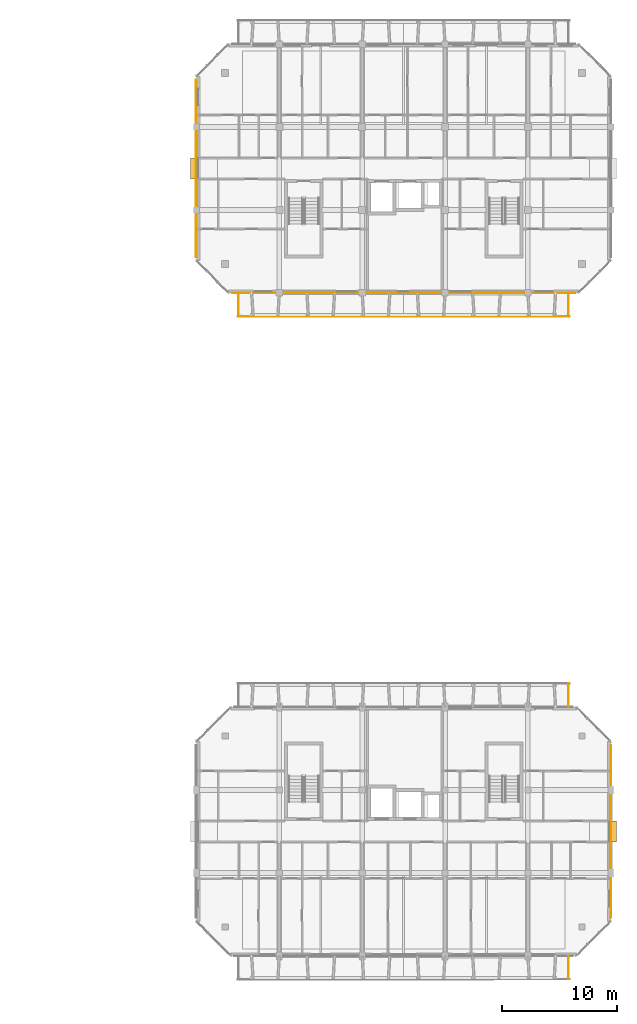
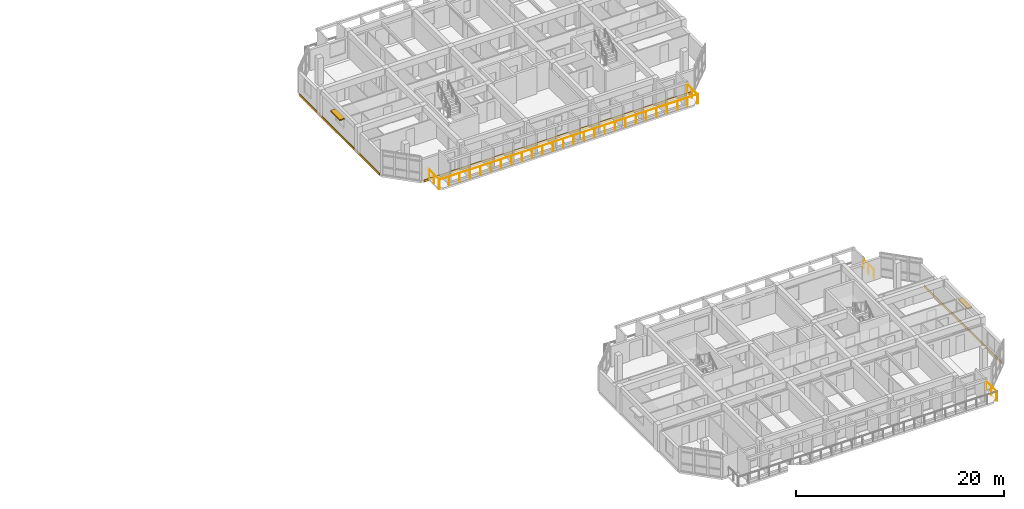
# One storey, part 41 of 43: 5 railings, 3 coverings, 2 shading devices.
"""IFC4 building model written with IfcOpenShell, lengths in metres."""

from ifc_helpers import new_model, si_unit, direction, frame, origin, origin_2d, place, context, subcontext, project, spatial, rectangle, circle, extrude, material, layer, layer_set, type_object, element, save


model = new_model("IFC4")

# Units and contexts
model_context = context("Model", 3, precision=1e-05, world=origin(), true_north=direction((0.0, 1.0)))
body_context = subcontext(model_context, "Body", "Model", "MODEL_VIEW")
ifc_project = project(units=[si_unit("LENGTHUNIT", "METRE"), si_unit("AREAUNIT", "SQUARE_METRE"), si_unit("VOLUMEUNIT", "CUBIC_METRE"), si_unit("PLANEANGLEUNIT", "RADIAN"), si_unit("MASSUNIT", "GRAM", prefix="KILO")], contexts=[model_context])

# Site, building, storey
site_placement = place(None, origin())
site = spatial("IfcSite", under=ifc_project, at=site_placement, CompositionType="ELEMENT")
building_placement = place(site_placement, origin())
building = spatial("IfcBuilding", under=site, at=building_placement, Name="Ochrevale Crest", CompositionType="ELEMENT")
storey_placement = place(building_placement, frame((0.0, 0.0, 15.0)))
storey = spatial("IfcBuildingStorey", under=building, at=storey_placement, Name="L04", CompositionType="ELEMENT", Elevation=15.0)

# Coverings
ifc_material_1 = material(Name="Glazed terracotta rainscreen tile", Category="masonry")
ifc_layer = layer(ifc_material_1, 0.048095703125)
ifc_layer_set = layer_set([ifc_layer], Name="Glazed terracotta rainscreen tile")
covering_type = type_object("IfcCoveringType", Name="COV-CLAD-TER", PredefinedType="CLADDING", material=ifc_layer_set)
covering_1_placement = place(storey_placement, frame((165.614501953125, 25.199951171875, -0.26025390625), z_axis=(0.0, 0.0, 1.0), x_axis=(0.0, 1.0, 0.0)))
element("IfcCovering", 1, at=covering_1_placement, inside=storey, type_object=covering_type, Name="Block C L04 terracotta slab-edge spandrel cladding", PredefinedType="CLADDING", context=body_context, shape_type="SweptSolid", body=[
    extrude(rectangle(XDim=15.0, YDim=0.06005859375, at=origin_2d()), origin(), (0.0, 0.0, 1.0), 0.280029296875),
])
covering_2_placement = place(storey_placement, frame((147.60009765625, 71.987548828125, -0.26025390625), z_axis=(0.0, 0.0, 1.0), x_axis=(1.0, 0.0, 0.0)))
element("IfcCovering", 2, at=covering_2_placement, inside=storey, type_object=covering_type, Name="Block D L04 terracotta slab-edge spandrel cladding", PredefinedType="CLADDING", context=body_context, shape_type="SweptSolid", body=[
    extrude(rectangle(XDim=29.800048828125, YDim=0.06005859375, at=origin_2d()), origin(), (0.0, 0.0, 1.0), 0.280029296875),
])
covering_3_placement = place(storey_placement, frame((129.58544921875, 82.800048828125, -0.26025390625), z_axis=(0.0, 0.0, 1.0), x_axis=(0.0, -1.0, 0.0)))
element("IfcCovering", 3, at=covering_3_placement, inside=storey, type_object=covering_type, Name="Block D L04 terracotta slab-edge spandrel cladding", PredefinedType="CLADDING", context=body_context, shape_type="SweptSolid", body=[
    extrude(rectangle(XDim=15.39990234375, YDim=0.06005859375, at=origin_2d()), origin(), (0.0, 0.0, 1.0), 0.280029296875),
])

# Railings
ifc_material_2 = material(Name="Galvanised steel", Category="steel")
railing_type = type_object("IfcRailingType", Name="RL-BAL-1100", PredefinedType="BALUSTRADE", material=ifc_material_2)
railing_1_placement = place(storey_placement, frame((161.93994140625, 14.39990234375, 0.0)))
element("IfcRailing", 4, at=railing_1_placement, inside=storey, type_object=railing_type, Name="Block C L04 S-E balcony side guard", PredefinedType="BALUSTRADE", context=body_context, shape_type="SweptSolid", body=[
    extrude(circle(Radius=0.02392578125, at=origin_2d()), frame((0.0, 0.0, 1.0859375), z_axis=(0.0, -1.0, 0.0), x_axis=(1.0, 0.0, 0.0)), (0.0, 0.0, 1.0), 2.039794921875),
    extrude(circle(Radius=0.02099609375, at=origin_2d()), origin(), (0.0, 0.0, 1.0), 1.06201171875),
    extrude(circle(Radius=0.02099609375, at=origin_2d()), frame((0.0, -1.02001953125, 0.0)), (0.0, 0.0, 1.0), 1.06201171875),
    extrude(circle(Radius=0.02099609375, at=origin_2d()), frame((0.0, -2.039794921875, 0.0)), (0.0, 0.0, 1.0), 1.06201171875),
])
railing_2_placement = place(storey_placement, frame((161.93994140625, 36.0, 0.0)))
element("IfcRailing", 5, at=railing_2_placement, inside=storey, type_object=railing_type, Name="Block C L04 N-E balcony side guard", PredefinedType="BALUSTRADE", context=body_context, shape_type="SweptSolid", body=[
    extrude(circle(Radius=0.02392578125, at=origin_2d()), frame((0.0, 0.0, 1.0859375), z_axis=(0.0, 1.0, 0.0), x_axis=(-1.0, 0.0, 0.0)), (0.0, 0.0, 1.0), 2.0400390625),
    extrude(circle(Radius=0.02099609375, at=origin_2d()), origin(), (0.0, 0.0, 1.0), 1.06201171875),
    extrude(circle(Radius=0.02099609375, at=origin_2d()), frame((0.0, 1.02001953125, 0.0)), (0.0, 0.0, 1.0), 1.06201171875),
    extrude(circle(Radius=0.02099609375, at=origin_2d()), frame((0.0, 2.0400390625, 0.0)), (0.0, 0.0, 1.0), 1.06201171875),
])
railing_3_placement = place(storey_placement, frame((133.199951171875, 69.9599609375, 0.0)))
element("IfcRailing", 6, at=railing_3_placement, inside=storey, type_object=railing_type, Name="Block D L04 S balcony front balustrade", PredefinedType="BALUSTRADE", context=body_context, shape_type="SweptSolid", body=[
    extrude(circle(Radius=0.02392578125, at=origin_2d()), frame((0.0, 0.0, 1.0859375), z_axis=(1.0, 0.0, 0.0), x_axis=(0.0, 1.0, 0.0)), (0.0, 0.0, 1.0), 28.800048828125),
    extrude(circle(Radius=0.02099609375, at=origin_2d()), origin(), (0.0, 0.0, 1.0), 1.06201171875),
    extrude(circle(Radius=0.02099609375, at=origin_2d()), frame((1.152099609375, 0.0, 0.0)), (0.0, 0.0, 1.0), 1.06201171875),
    extrude(circle(Radius=0.02099609375, at=origin_2d()), frame((2.303955078125, 0.0, 0.0)), (0.0, 0.0, 1.0), 1.06201171875),
    extrude(circle(Radius=0.02099609375, at=origin_2d()), frame((3.4560546875, 0.0, 0.0)), (0.0, 0.0, 1.0), 1.06201171875),
    extrude(circle(Radius=0.02099609375, at=origin_2d()), frame((4.60791015625, 0.0, 0.0)), (0.0, 0.0, 1.0), 1.06201171875),
    extrude(circle(Radius=0.02099609375, at=origin_2d()), frame((5.760009765625, 0.0, 0.0)), (0.0, 0.0, 1.0), 1.06201171875),
    extrude(circle(Radius=0.02099609375, at=origin_2d()), frame((6.912109375, 0.0, 0.0)), (0.0, 0.0, 1.0), 1.06201171875),
    extrude(circle(Radius=0.02099609375, at=origin_2d()), frame((8.06396484375, 0.0, 0.0)), (0.0, 0.0, 1.0), 1.06201171875),
    extrude(circle(Radius=0.02099609375, at=origin_2d()), frame((9.216064453125, 0.0, 0.0)), (0.0, 0.0, 1.0), 1.06201171875),
    extrude(circle(Radius=0.02099609375, at=origin_2d()), frame((10.367919921875, 0.0, 0.0)), (0.0, 0.0, 1.0), 1.06201171875),
    extrude(circle(Radius=0.02099609375, at=origin_2d()), frame((11.52001953125, 0.0, 0.0)), (0.0, 0.0, 1.0), 1.06201171875),
    extrude(circle(Radius=0.02099609375, at=origin_2d()), frame((12.672119140625, 0.0, 0.0)), (0.0, 0.0, 1.0), 1.06201171875),
    extrude(circle(Radius=0.02099609375, at=origin_2d()), frame((13.823974609375, 0.0, 0.0)), (0.0, 0.0, 1.0), 1.06201171875),
    extrude(circle(Radius=0.02099609375, at=origin_2d()), frame((14.97607421875, 0.0, 0.0)), (0.0, 0.0, 1.0), 1.06201171875),
    extrude(circle(Radius=0.02099609375, at=origin_2d()), frame((16.1279296875, 0.0, 0.0)), (0.0, 0.0, 1.0), 1.06201171875),
    extrude(circle(Radius=0.02099609375, at=origin_2d()), frame((17.280029296875, 0.0, 0.0)), (0.0, 0.0, 1.0), 1.06201171875),
    extrude(circle(Radius=0.02099609375, at=origin_2d()), frame((18.43212890625, 0.0, 0.0)), (0.0, 0.0, 1.0), 1.06201171875),
    extrude(circle(Radius=0.02099609375, at=origin_2d()), frame((19.583984375, 0.0, 0.0)), (0.0, 0.0, 1.0), 1.06201171875),
    extrude(circle(Radius=0.02099609375, at=origin_2d()), frame((20.736083984375, 0.0, 0.0)), (0.0, 0.0, 1.0), 1.06201171875),
    extrude(circle(Radius=0.02099609375, at=origin_2d()), frame((21.887939453125, 0.0, 0.0)), (0.0, 0.0, 1.0), 1.06201171875),
    extrude(circle(Radius=0.02099609375, at=origin_2d()), frame((23.0400390625, 0.0, 0.0)), (0.0, 0.0, 1.0), 1.06201171875),
    extrude(circle(Radius=0.02099609375, at=origin_2d()), frame((24.192138671875, 0.0, 0.0)), (0.0, 0.0, 1.0), 1.06201171875),
    extrude(circle(Radius=0.02099609375, at=origin_2d()), frame((25.343994140625, 0.0, 0.0)), (0.0, 0.0, 1.0), 1.06201171875),
    extrude(circle(Radius=0.02099609375, at=origin_2d()), frame((26.49609375, 0.0, 0.0)), (0.0, 0.0, 1.0), 1.06201171875),
    extrude(circle(Radius=0.02099609375, at=origin_2d()), frame((27.64794921875, 0.0, 0.0)), (0.0, 0.0, 1.0), 1.06201171875),
    extrude(circle(Radius=0.02099609375, at=origin_2d()), frame((28.800048828125, 0.0, 0.0)), (0.0, 0.0, 1.0), 1.06201171875),
])
for number, where, name in (
    (7, (133.260009765625, 72.0, 0.0), "Block D L04 S-W balcony side guard"),
    (8, (161.93994140625, 72.0, 0.0), "Block D L04 S-E balcony side guard"),
):
    element("IfcRailing", number, at=place(storey_placement, frame(where)), inside=storey, type_object=railing_type, Name=name, PredefinedType="BALUSTRADE", context=body_context, shape_type="SweptSolid", body=[
        extrude(circle(Radius=0.02392578125, at=origin_2d()), frame((0.0, 0.0, 1.0859375), z_axis=(0.0, -1.0, 0.0), x_axis=(1.0, 0.0, 0.0)), (0.0, 0.0, 1.0), 2.0400390625),
        extrude(circle(Radius=0.02099609375, at=origin_2d()), origin(), (0.0, 0.0, 1.0), 1.06201171875),
        extrude(circle(Radius=0.02099609375, at=origin_2d()), frame((0.0, -1.02001953125, 0.0)), (0.0, 0.0, 1.0), 1.06201171875),
        extrude(circle(Radius=0.02099609375, at=origin_2d()), frame((0.0, -2.0400390625, 0.0)), (0.0, 0.0, 1.0), 1.06201171875),
    ])

# Shading devices
ifc_material_3 = material(Name="Anodised aluminium 6063-T5", Category="aluminium")
shading_device_type = type_object("IfcShadingDeviceType", Name="SHD-SUNSHADE-OC", PredefinedType="USERDEFINED", material=ifc_material_3)
for number, where, z_axis, x_axis, name in (
    (9, (165.840087890625, 25.199951171875, 2.2099609375), (0.0, 0.0, 1.0), (1.0, 0.0, 0.0), "Block C L04 gable window sunshade E"),
    (10, (129.360107421875, 82.800048828125, 2.2099609375), (0.0, 0.0, 1.0), (1.0, 0.0, 0.0), "Block D L04 gable window sunshade W"),
):
    element("IfcShadingDevice", number, at=place(storey_placement, frame(where, z_axis=z_axis, x_axis=x_axis)), inside=storey, type_object=shading_device_type, Name=name, ObjectType="HORIZONTAL SUNSHADE", PredefinedType="USERDEFINED", context=body_context, shape_type="SweptSolid", body=[
        extrude(rectangle(XDim=0.550048828125, YDim=1.800048828125, at=origin_2d()), origin(), (0.0, 0.0, 1.0), 0.139892578125),
    ])

save(model, "model.ifc")
